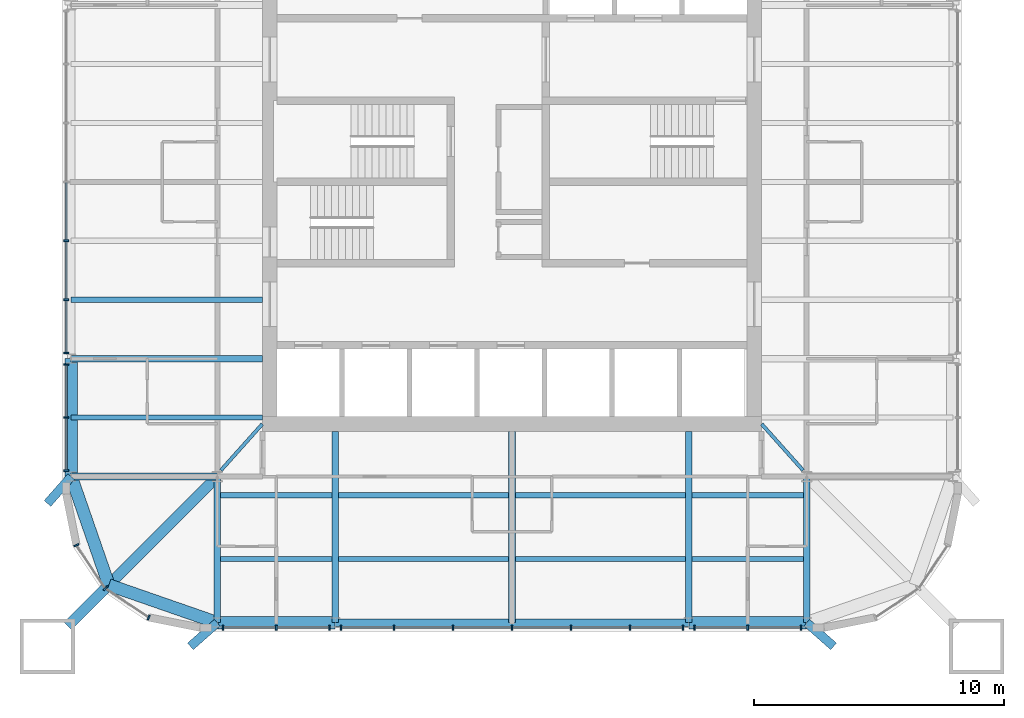
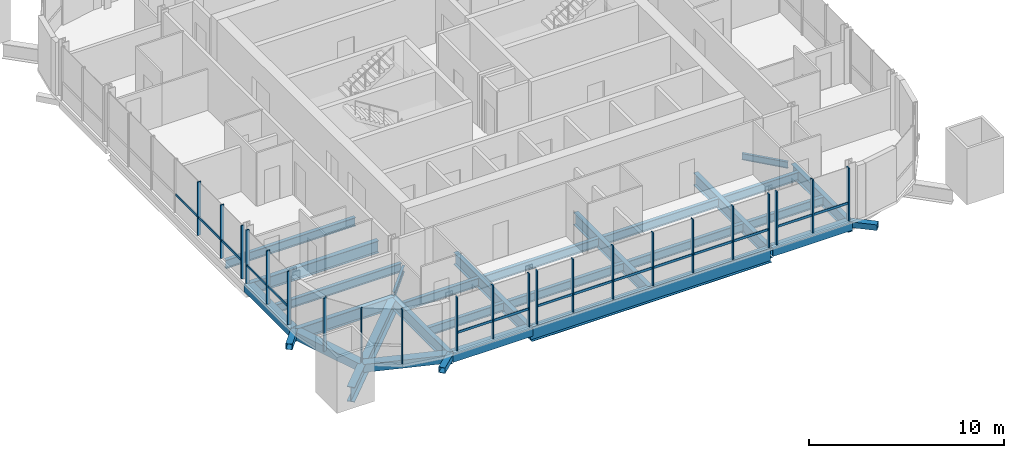
# One storey, part 2 of 12: 37 members, 29 beams, 6 elements without a shape of their own.
"""IFC4 building model written with IfcOpenShell, lengths in metres."""

from ifc_helpers import new_model, si_unit, direction, frame, origin, origin_2d, place, context, subcontext, project, spatial, rectangle, hollow_rectangle, i_section, extrude, material, material_profile, profile_set, type_object, element, aggregate, save


model = new_model("IFC4")

# Units and contexts
model_context = context("Model", 3, precision=1e-05, world=origin(), true_north=direction((0.0, 1.0)))
body_context = subcontext(model_context, "Body", "Model", "MODEL_VIEW")
ifc_project = project(units=[si_unit("LENGTHUNIT", "METRE"), si_unit("AREAUNIT", "SQUARE_METRE"), si_unit("VOLUMEUNIT", "CUBIC_METRE"), si_unit("PLANEANGLEUNIT", "RADIAN"), si_unit("MASSUNIT", "GRAM", prefix="KILO")], contexts=[model_context])

# Site, building, storey
site_placement = place(None, origin())
site = spatial("IfcSite", under=ifc_project, at=site_placement, CompositionType="ELEMENT")
building_placement = place(site_placement, origin())
building = spatial("IfcBuilding", under=site, at=building_placement, Name="Turquesa Mirador Hotel Tower", CompositionType="ELEMENT")
storey_placement = place(building_placement, frame((0.0, 0.0, 233.699951171875)))
storey = spatial("IfcBuildingStorey", under=building, at=storey_placement, Name="L63", CompositionType="ELEMENT", Elevation=233.699951171875)

# Beams
ifc_material_1 = material(Name="Steel ASTM A572 Grade 50", Category="steel")
ifc_material_profile_1 = material_profile(ifc_material_1, hollow_rectangle(XDim=0.5, YDim=0.5, WallThickness=0.01611328125, at=origin_2d()), Name="BOX500X500X16")
ifc_profile_set_1 = profile_set([ifc_material_profile_1], Name="Steel ASTM A572 Grade 50")
beam_type_1 = type_object("IfcBeamType", Name="BEAM BOX500X500X16", PredefinedType="BEAM", material=ifc_profile_set_1)
for number, where, z_axis, x_axis, name in (
    (1, (43.199951171875, 27.35009765625, -0.419921875), (1.0, 0.0, 0.0), (0.0, 1.0, 0.0), "EB-L63-S-L"),
    (2, (62.080078125, 27.35009765625, -0.419921875), (1.0, 0.0, 0.0), (0.0, 1.0, 0.0), "EB-L63-S-R"),
    (3, (37.35009765625, 33.199951171875, -0.419921875), (0.0, 1.0, 0.0), (-1.0, 0.0, 0.0), "EB-L63-W-L"),
):
    element("IfcBeam", number, at=place(storey_placement, frame(where, z_axis=z_axis, x_axis=x_axis)), inside=storey, type_object=beam_type_1, Name=name, PredefinedType="BEAM", context=body_context, shape_type="SweptSolid", body=[
        extrude(hollow_rectangle(XDim=0.5, YDim=0.5, WallThickness=0.01611328125, at=origin_2d()), origin(), (0.0, 0.0, 1.0), 4.719970703125),
    ])
for number, where, z_axis, x_axis, name in (
    (4, (37.35009765625, 33.199951171875, -0.419921875), (0.328170356092, -0.944618556552, 0.0), (0.944618556552, 0.328170356092, 0.0), "KE-L63-3-0"),
    (5, (38.8583984375, 28.8583984375, -0.419921875), (0.944618556552, -0.328170356092, 0.0), (0.328170356092, 0.944618556552, 0.0), "KE-L63-3-1"),
):
    element("IfcBeam", number, at=place(storey_placement, frame(where, z_axis=z_axis, x_axis=x_axis)), inside=storey, type_object=beam_type_1, Name=name, PredefinedType="BEAM", context=body_context, shape_type="SweptSolid", body=[
        extrude(hollow_rectangle(XDim=0.5, YDim=0.5, WallThickness=0.01611328125, at=origin_2d()), origin(), (0.0, 0.0, 1.0), 4.59619140625),
    ])
ifc_material_2 = material(Name="Steel ASTM A992 Grade 50", Category="steel")
ifc_material_profile_2 = material_profile(ifc_material_2, i_section(OverallWidth=0.140380859375, OverallDepth=0.40380859375, WebThickness=0.007080078125, FlangeThickness=0.01123046875, at=origin_2d()), Name="W16X31")
ifc_profile_set_2 = profile_set([ifc_material_profile_2], Name="Steel ASTM A992 Grade 50")
beam_type_2 = type_object("IfcBeamType", Name="BEAM W16X31", PredefinedType="BEAM", material=ifc_profile_set_2)
for number, where, z_axis, x_axis, name in (
    (6, (43.343505859375, 33.44873046875, -0.371826171875), (0.666806350186, 0.745231032198, 0.0), (-0.745231032198, 0.666806350186, 0.0), "KT-L63-3"),
    (7, (66.656494140625, 33.44873046875, -0.371826171875), (-0.666806350186, 0.745231032198, 0.0), (-0.745231032198, -0.666806350186, 0.0), "KT-L63-4"),
):
    element("IfcBeam", number, at=place(storey_placement, frame(where, z_axis=z_axis, x_axis=x_axis)), inside=storey, type_object=beam_type_2, Name=name, PredefinedType="BEAM", context=body_context, shape_type="SweptSolid", body=[
        extrude(i_section(OverallWidth=0.140380859375, OverallDepth=0.40380859375, WebThickness=0.007080078125, FlangeThickness=0.01123046875, at=origin_2d()), origin(), (0.0, 0.0, 1.0), 2.484130859375),
    ])
ifc_material_3 = material(Name="Steel ASTM A992 Grade 50", Category="steel")
ifc_material_profile_3 = material_profile(ifc_material_3, i_section(OverallWidth=0.209228515625, OverallDepth=0.533447265625, WebThickness=0.01025390625, FlangeThickness=0.015625, at=origin_2d()), Name="W21X62")
ifc_profile_set_3 = profile_set([ifc_material_profile_3], Name="Steel ASTM A992 Grade 50")
beam_type_3 = type_object("IfcBeamType", Name="BEAM W21X62", PredefinedType="BEAM", material=ifc_profile_set_3)
beam_1_placement = place(storey_placement, frame((43.333251953125, 32.449951171875, -0.436767578125), z_axis=(1.0, 0.0, 0.0), x_axis=(0.0, 1.0, 0.0)))
element("IfcBeam", 8, at=beam_1_placement, inside=storey, type_object=beam_type_3, Name="IB-L63-S-1-0", PredefinedType="BEAM", context=body_context, shape_type="SweptSolid", body=[
    extrude(i_section(OverallWidth=0.209228515625, OverallDepth=0.533447265625, WebThickness=0.01025390625, FlangeThickness=0.015625, at=origin_2d()), origin(), (0.0, 0.0, 1.0), 4.453369140625),
])
for number, where, z_axis, x_axis, name in (
    (9, (48.053466796875, 32.449951171875, -0.436767578125), (1.0, 0.0, 0.0), (0.0, 1.0, 0.0), "IB-L63-S-1-1"),
    (10, (55.13330078125, 32.449951171875, -0.436767578125), (1.0, 0.0, 0.0), (0.0, 1.0, 0.0), "IB-L63-S-1-2"),
):
    element("IfcBeam", number, at=place(storey_placement, frame(where, z_axis=z_axis, x_axis=x_axis)), inside=storey, type_object=beam_type_3, Name=name, PredefinedType="BEAM", context=body_context, shape_type="SweptSolid", body=[
        extrude(i_section(OverallWidth=0.209228515625, OverallDepth=0.533447265625, WebThickness=0.01025390625, FlangeThickness=0.015625, at=origin_2d()), origin(), (0.0, 0.0, 1.0), 6.813232421875),
    ])
for number, where, z_axis, x_axis, name in (
    (11, (62.21337890625, 32.449951171875, -0.436767578125), (1.0, 0.0, 0.0), (0.0, 1.0, 0.0), "IB-L63-S-1-3"),
    (12, (43.333251953125, 29.89990234375, -0.436767578125), (1.0, 0.0, 0.0), (0.0, 1.0, 0.0), "IB-L63-S-2-0"),
):
    element("IfcBeam", number, at=place(storey_placement, frame(where, z_axis=z_axis, x_axis=x_axis)), inside=storey, type_object=beam_type_3, Name=name, PredefinedType="BEAM", context=body_context, shape_type="SweptSolid", body=[
        extrude(i_section(OverallWidth=0.209228515625, OverallDepth=0.533447265625, WebThickness=0.01025390625, FlangeThickness=0.015625, at=origin_2d()), origin(), (0.0, 0.0, 1.0), 4.453369140625),
    ])
for number, where, z_axis, x_axis, name in (
    (13, (48.053466796875, 29.89990234375, -0.436767578125), (1.0, 0.0, 0.0), (0.0, 1.0, 0.0), "IB-L63-S-2-1"),
    (14, (55.13330078125, 29.89990234375, -0.436767578125), (1.0, 0.0, 0.0), (0.0, 1.0, 0.0), "IB-L63-S-2-2"),
):
    element("IfcBeam", number, at=place(storey_placement, frame(where, z_axis=z_axis, x_axis=x_axis)), inside=storey, type_object=beam_type_3, Name=name, PredefinedType="BEAM", context=body_context, shape_type="SweptSolid", body=[
        extrude(i_section(OverallWidth=0.209228515625, OverallDepth=0.533447265625, WebThickness=0.01025390625, FlangeThickness=0.015625, at=origin_2d()), origin(), (0.0, 0.0, 1.0), 6.813232421875),
    ])
beam_2_placement = place(storey_placement, frame((62.21337890625, 29.89990234375, -0.436767578125), z_axis=(1.0, 0.0, 0.0), x_axis=(0.0, 1.0, 0.0)))
element("IfcBeam", 15, at=beam_2_placement, inside=storey, type_object=beam_type_3, Name="IB-L63-S-2-3", PredefinedType="BEAM", context=body_context, shape_type="SweptSolid", body=[
    extrude(i_section(OverallWidth=0.209228515625, OverallDepth=0.533447265625, WebThickness=0.01025390625, FlangeThickness=0.015625, at=origin_2d()), origin(), (0.0, 0.0, 1.0), 4.453369140625),
])
for number, where, z_axis, x_axis, name in (
    (16, (37.35009765625, 35.56005859375, -0.436767578125), (1.0, 0.0, 0.0), (0.0, 1.0, 0.0), "BM-L63-W--9.44"),
    (17, (37.35009765625, 40.280029296875, -0.436767578125), (1.0, 0.0, 0.0), (0.0, 1.0, 0.0), "BM-L63-W--4.72"),
):
    element("IfcBeam", number, at=place(storey_placement, frame(where, z_axis=z_axis, x_axis=x_axis)), inside=storey, type_object=beam_type_3, Name=name, PredefinedType="BEAM", context=body_context, shape_type="SweptSolid", body=[
        extrude(i_section(OverallWidth=0.209228515625, OverallDepth=0.533447265625, WebThickness=0.01025390625, FlangeThickness=0.015625, at=origin_2d()), origin(), (0.0, 0.0, 1.0), 7.64990234375),
    ])
ifc_material_4 = material(Name="Steel ASTM A992 Grade 50", Category="steel")
ifc_material_profile_4 = material_profile(ifc_material_4, i_section(OverallWidth=0.2666015625, OverallDepth=0.7568359375, WebThickness=0.013916015625, FlangeThickness=0.019287109375, at=origin_2d()), Name="W30X108")
ifc_profile_set_4 = profile_set([ifc_material_profile_4], Name="Steel ASTM A992 Grade 50")
beam_type_4 = type_object("IfcBeamType", Name="BEAM W30X108", PredefinedType="BEAM", material=ifc_profile_set_4)
for number, where, z_axis, x_axis, name in (
    (18, (47.919921875, 27.35009765625, -0.54833984375), (0.0, 1.0, 0.0), (-1.0, 0.0, 0.0), "GD-L63-S--7.08"),
    (19, (62.080078125, 27.35009765625, -0.54833984375), (0.0, 1.0, 0.0), (-1.0, 0.0, 0.0), "GD-L63-S-+7.08"),
    (20, (55.0, 27.35009765625, -0.54833984375), (0.0, 1.0, 0.0), (-1.0, 0.0, 0.0), "GD-L63-S-+0.00"),
):
    element("IfcBeam", number, at=place(storey_placement, frame(where, z_axis=z_axis, x_axis=x_axis)), inside=storey, type_object=beam_type_4, Name=name, PredefinedType="BEAM", context=body_context, shape_type="SweptSolid", body=[
        extrude(i_section(OverallWidth=0.2666015625, OverallDepth=0.7568359375, WebThickness=0.013916015625, FlangeThickness=0.019287109375, at=origin_2d()), origin(), (0.0, 0.0, 1.0), 7.64990234375),
    ])
for number, where, z_axis, x_axis, name in (
    (21, (43.199951171875, 27.35009765625, -0.54833984375), (0.0, 1.0, 0.0), (-1.0, 0.0, 0.0), "GK-L63-S--11.80"),
    (22, (66.800048828125, 27.35009765625, -0.54833984375), (0.0, 1.0, 0.0), (-1.0, 0.0, 0.0), "GK-L63-S-+11.80"),
):
    element("IfcBeam", number, at=place(storey_placement, frame(where, z_axis=z_axis, x_axis=x_axis)), inside=storey, type_object=beam_type_4, Name=name, PredefinedType="BEAM", context=body_context, shape_type="SweptSolid", body=[
        extrude(i_section(OverallWidth=0.2666015625, OverallDepth=0.7568359375, WebThickness=0.013916015625, FlangeThickness=0.019287109375, at=origin_2d()), origin(), (0.0, 0.0, 1.0), 5.849853515625),
    ])
beam_3_placement = place(storey_placement, frame((37.35009765625, 37.919921875, -0.54833984375), z_axis=(1.0, 0.0, 0.0), x_axis=(0.0, 1.0, 0.0)))
element("IfcBeam", 23, at=beam_3_placement, inside=storey, type_object=beam_type_4, Name="GD-L63-W--7.08", PredefinedType="BEAM", context=body_context, shape_type="SweptSolid", body=[
    extrude(i_section(OverallWidth=0.2666015625, OverallDepth=0.7568359375, WebThickness=0.013916015625, FlangeThickness=0.019287109375, at=origin_2d()), origin(), (0.0, 0.0, 1.0), 7.64990234375),
])
beam_4_placement = place(storey_placement, frame((37.35009765625, 33.199951171875, -0.54833984375), z_axis=(1.0, 0.0, 0.0), x_axis=(0.0, 1.0, 0.0)))
element("IfcBeam", 24, at=beam_4_placement, inside=storey, type_object=beam_type_4, Name="GK-L63-W--11.80", PredefinedType="BEAM", context=body_context, shape_type="SweptSolid", body=[
    extrude(i_section(OverallWidth=0.2666015625, OverallDepth=0.7568359375, WebThickness=0.013916015625, FlangeThickness=0.019287109375, at=origin_2d()), origin(), (0.0, 0.0, 1.0), 5.849853515625),
])
ifc_material_5 = material(Name="Steel ASTM A992 Grade 50", Category="steel")
ifc_material_profile_5 = material_profile(ifc_material_5, i_section(OverallWidth=0.3046875, OverallDepth=0.911865234375, WebThickness=0.015869140625, FlangeThickness=0.02392578125, at=origin_2d()), Name="W36X150")
ifc_profile_set_5 = profile_set([ifc_material_profile_5], Name="Steel ASTM A992 Grade 50")
beam_type_5 = type_object("IfcBeamType", Name="BEAM W36X150", PredefinedType="BEAM", material=ifc_profile_set_5)
beam_5_placement = place(storey_placement, frame((47.919921875, 27.35009765625, -0.6259765625), z_axis=(1.0, 0.0, 0.0), x_axis=(0.0, 1.0, 0.0)))
element("IfcBeam", 25, at=beam_5_placement, inside=storey, type_object=beam_type_5, Name="EB-L63-S-C", PredefinedType="BEAM", context=body_context, shape_type="SweptSolid", body=[
    extrude(i_section(OverallWidth=0.3046875, OverallDepth=0.911865234375, WebThickness=0.015869140625, FlangeThickness=0.02392578125, at=origin_2d()), origin(), (0.0, 0.0, 1.0), 14.16015625),
])
ifc_material_6 = material(Name="Steel ASTM A992 Grade 50", Category="steel")
ifc_material_profile_6 = material_profile(ifc_material_6, i_section(OverallWidth=0.419189453125, OverallDepth=0.927001953125, WebThickness=0.019287109375, FlangeThickness=0.031982421875, at=origin_2d()), Name="W36X231")
ifc_profile_set_6 = profile_set([ifc_material_profile_6], Name="Steel ASTM A992 Grade 50")
beam_type_6 = type_object("IfcBeamType", Name="BEAM W36X231", PredefinedType="BEAM", material=ifc_profile_set_6)
beam_6_placement = place(storey_placement, frame((43.199951171875, 33.199951171875, -0.633544921875), z_axis=(-0.707106781187, -0.707106781187, 0.0), x_axis=(0.707106781187, -0.707106781187, 0.0)))
element("IfcBeam", 26, at=beam_6_placement, inside=storey, type_object=beam_type_6, Name="KD-L63-3", PredefinedType="BEAM", context=body_context, shape_type="SweptSolid", body=[
    extrude(i_section(OverallWidth=0.419189453125, OverallDepth=0.927001953125, WebThickness=0.019287109375, FlangeThickness=0.031982421875, at=origin_2d()), origin(), (0.0, 0.0, 1.0), 8.46240234375),
])
ifc_material_7 = material(Name="Steel ASTM A500 Grade C", Category="steel")
ifc_material_profile_7 = material_profile(ifc_material_7, hollow_rectangle(XDim=0.355712890625, YDim=0.355712890625, WallThickness=0.0146484375, at=origin_2d()), Name="HSS14X14X5/8")
ifc_profile_set_7 = profile_set([ifc_material_profile_7], Name="Steel ASTM A500 Grade C")
beam_type_7 = type_object("IfcBeamType", Name="BRACE STRUT HSS14X14X5/8", PredefinedType="BEAM", material=ifc_profile_set_7)
for number, where, z_axis, x_axis, name in (
    (27, (42.123046875, 26.39990234375, -0.34765625), (0.749842816254, 0.661616014704, 0.0), (-0.661616014704, 0.749842816254, 0.0), "Brace strut"),
    (28, (67.876953125, 26.39990234375, -0.34765625), (-0.749842816254, 0.661616014704, 0.0), (-0.661616014704, -0.749842816254, 0.0), "Brace strut"),
    (29, (36.39990234375, 32.123046875, -0.34765625), (0.661616014704, 0.749842816254, 0.0), (-0.749842816254, 0.661616014704, 0.0), "Brace strut"),
):
    element("IfcBeam", number, at=place(storey_placement, frame(where, z_axis=z_axis, x_axis=x_axis)), inside=storey, type_object=beam_type_7, Name=name, PredefinedType="BEAM", context=body_context, shape_type="SweptSolid", body=[
        extrude(hollow_rectangle(XDim=0.355712890625, YDim=0.355712890625, WallThickness=0.0146484375, at=origin_2d()), origin(), (0.0, 0.0, 1.0), 1.436279296875),
    ])

# Curtain wall, members
ifc_material_8 = material(Name="Aluminium extrusion", Category="aluminium")
curtain_wall_type = type_object("IfcCurtainWallType", Name="CW-4 SUITE FRITTED CURTAIN WALL", PredefinedType="USERDEFINED", material=ifc_material_8)
curtain_wall_1_placement = place(storey_placement, origin())
curtain_wall_1 = element("IfcCurtainWall", 30, at=curtain_wall_1_placement, inside=storey, type_object=curtain_wall_type, Name="CW-4 SUITE FRITTED CURTAIN WALL L63", ObjectType="CURTAIN WALL", PredefinedType="USERDEFINED")
ifc_material_9 = material(Name="Aluminium extrusion", Category="aluminium")
ifc_material_profile_8 = material_profile(ifc_material_9, rectangle(XDim=0.06494140625, YDim=0.199951171875, at=origin_2d()), Name="MULLION 65X200")
ifc_profile_set_8 = profile_set([ifc_material_profile_8], Name="Aluminium extrusion")
member_type_1 = type_object("IfcMemberType", Name="CW MULLION 65X200", PredefinedType="MULLION", material=ifc_profile_set_8)
member_1_placement = place(storey_placement, frame((37.14990234375, 42.639892578125, 0.0), z_axis=(0.0, 0.0, 1.0), x_axis=(0.0, -1.0, 0.0)))
member_1 = element("IfcMember", 31, at=member_1_placement, type_object=member_type_1, Name="Mullion", PredefinedType="MULLION", context=body_context, shape_type="SweptSolid", body=[
    extrude(rectangle(XDim=0.06494140625, YDim=0.199951171875, at=origin_2d()), origin(), (0.0, 0.0, 1.0), 3.330078125),
])
member_2_placement = place(storey_placement, frame((37.14990234375, 40.280029296875, 0.0), z_axis=(0.0, 0.0, 1.0), x_axis=(0.0, -1.0, 0.0)))
member_2 = element("IfcMember", 32, at=member_2_placement, type_object=member_type_1, Name="Mullion", PredefinedType="MULLION", context=body_context, shape_type="SweptSolid", body=[
    extrude(rectangle(XDim=0.06494140625, YDim=0.199951171875, at=origin_2d()), origin(), (0.0, 0.0, 1.0), 3.330078125),
])
member_3_placement = place(storey_placement, frame((37.14990234375, 38.15380859375, 0.0), z_axis=(0.0, 0.0, 1.0), x_axis=(0.0, -1.0, 0.0)))
member_3 = element("IfcMember", 33, at=member_3_placement, type_object=member_type_1, Name="Mullion", PredefinedType="MULLION", context=body_context, shape_type="SweptSolid", body=[
    extrude(rectangle(XDim=0.06494140625, YDim=0.199951171875, at=origin_2d()), origin(), (0.0, 0.0, 1.0), 3.330078125),
])

curtain_wall_2_placement = place(storey_placement, origin())
curtain_wall_2 = element("IfcCurtainWall", 34, at=curtain_wall_2_placement, inside=storey, type_object=curtain_wall_type, Name="CW-4 SUITE FRITTED CURTAIN WALL L63", ObjectType="CURTAIN WALL", PredefinedType="USERDEFINED")
member_4_placement = place(storey_placement, frame((37.14990234375, 37.68603515625, 0.0), z_axis=(0.0, 0.0, 1.0), x_axis=(0.0, -1.0, 0.0)))
member_4 = element("IfcMember", 35, at=member_4_placement, type_object=member_type_1, Name="Mullion", PredefinedType="MULLION", context=body_context, shape_type="SweptSolid", body=[
    extrude(rectangle(XDim=0.06494140625, YDim=0.199951171875, at=origin_2d()), origin(), (0.0, 0.0, 1.0), 3.330078125),
])
member_5_placement = place(storey_placement, frame((37.14990234375, 35.56005859375, 0.0), z_axis=(0.0, 0.0, 1.0), x_axis=(0.0, -1.0, 0.0)))
member_5 = element("IfcMember", 36, at=member_5_placement, type_object=member_type_1, Name="Mullion", PredefinedType="MULLION", context=body_context, shape_type="SweptSolid", body=[
    extrude(rectangle(XDim=0.06494140625, YDim=0.199951171875, at=origin_2d()), origin(), (0.0, 0.0, 1.0), 3.330078125),
])
member_6_placement = place(storey_placement, frame((37.14990234375, 33.433837890625, 0.0), z_axis=(0.0, 0.0, 1.0), x_axis=(0.0, -1.0, 0.0)))
member_6 = element("IfcMember", 37, at=member_6_placement, type_object=member_type_1, Name="Mullion", PredefinedType="MULLION", context=body_context, shape_type="SweptSolid", body=[
    extrude(rectangle(XDim=0.06494140625, YDim=0.199951171875, at=origin_2d()), origin(), (0.0, 0.0, 1.0), 3.330078125),
])

curtain_wall_3_placement = place(storey_placement, origin())
curtain_wall_3 = element("IfcCurtainWall", 38, at=curtain_wall_3_placement, inside=storey, type_object=curtain_wall_type, Name="CW-4 SUITE FRITTED CURTAIN WALL L63", ObjectType="CURTAIN WALL", PredefinedType="USERDEFINED")
member_7_placement = place(storey_placement, frame((37.55712890625, 30.45263671875, 0.0), z_axis=(0.0, 0.0, 1.0), x_axis=(0.382683432365, -0.923879532511, 0.0)))
member_7 = element("IfcMember", 39, at=member_7_placement, type_object=member_type_1, Name="Mullion", PredefinedType="MULLION", context=body_context, shape_type="SweptSolid", body=[
    extrude(rectangle(XDim=0.06494140625, YDim=0.199951171875, at=origin_2d()), origin(), (0.0, 0.0, 1.0), 3.330078125),
])
member_8_placement = place(storey_placement, frame((38.717041015625, 28.717041015625, 0.0), z_axis=(0.0, 0.0, 1.0), x_axis=(0.707106781187, -0.707106781187, 0.0)))
member_8 = element("IfcMember", 40, at=member_8_placement, type_object=member_type_1, Name="Mullion", PredefinedType="MULLION", context=body_context, shape_type="SweptSolid", body=[
    extrude(rectangle(XDim=0.06494140625, YDim=0.199951171875, at=origin_2d()), origin(), (0.0, 0.0, 1.0), 3.330078125),
])
member_9_placement = place(storey_placement, frame((40.45263671875, 27.55712890625, 0.0), z_axis=(0.0, 0.0, 1.0), x_axis=(0.923879532511, -0.382683432365, 0.0)))
member_9 = element("IfcMember", 41, at=member_9_placement, type_object=member_type_1, Name="Mullion", PredefinedType="MULLION", context=body_context, shape_type="SweptSolid", body=[
    extrude(rectangle(XDim=0.06494140625, YDim=0.199951171875, at=origin_2d()), origin(), (0.0, 0.0, 1.0), 3.330078125),
])
aggregate(curtain_wall_3, [member_7, member_8, member_9])

curtain_wall_4_placement = place(storey_placement, origin())
curtain_wall_4 = element("IfcCurtainWall", 42, at=curtain_wall_4_placement, inside=storey, type_object=curtain_wall_type, Name="CW-4 SUITE FRITTED CURTAIN WALL L63", ObjectType="CURTAIN WALL", PredefinedType="USERDEFINED")
member_10_placement = place(storey_placement, frame((43.433837890625, 27.14990234375, 0.0), z_axis=(0.0, 0.0, 1.0), x_axis=(1.0, 0.0, 0.0)))
member_10 = element("IfcMember", 43, at=member_10_placement, type_object=member_type_1, Name="Mullion", PredefinedType="MULLION", context=body_context, shape_type="SweptSolid", body=[
    extrude(rectangle(XDim=0.06494140625, YDim=0.199951171875, at=origin_2d()), origin(), (0.0, 0.0, 1.0), 3.330078125),
])
member_11_placement = place(storey_placement, frame((45.56005859375, 27.14990234375, 0.0), z_axis=(0.0, 0.0, 1.0), x_axis=(1.0, 0.0, 0.0)))
member_11 = element("IfcMember", 44, at=member_11_placement, type_object=member_type_1, Name="Mullion", PredefinedType="MULLION", context=body_context, shape_type="SweptSolid", body=[
    extrude(rectangle(XDim=0.06494140625, YDim=0.199951171875, at=origin_2d()), origin(), (0.0, 0.0, 1.0), 3.330078125),
])
member_12_placement = place(storey_placement, frame((47.68603515625, 27.14990234375, 0.0), z_axis=(0.0, 0.0, 1.0), x_axis=(1.0, 0.0, 0.0)))
member_12 = element("IfcMember", 45, at=member_12_placement, type_object=member_type_1, Name="Mullion", PredefinedType="MULLION", context=body_context, shape_type="SweptSolid", body=[
    extrude(rectangle(XDim=0.06494140625, YDim=0.199951171875, at=origin_2d()), origin(), (0.0, 0.0, 1.0), 3.330078125),
])

curtain_wall_5_placement = place(storey_placement, origin())
curtain_wall_5 = element("IfcCurtainWall", 46, at=curtain_wall_5_placement, inside=storey, type_object=curtain_wall_type, Name="CW-4 SUITE FRITTED CURTAIN WALL L63", ObjectType="CURTAIN WALL", PredefinedType="USERDEFINED")
member_13_placement = place(storey_placement, frame((48.15380859375, 27.14990234375, 0.0), z_axis=(0.0, 0.0, 1.0), x_axis=(1.0, 0.0, 0.0)))
member_13 = element("IfcMember", 47, at=member_13_placement, type_object=member_type_1, Name="Mullion", PredefinedType="MULLION", context=body_context, shape_type="SweptSolid", body=[
    extrude(rectangle(XDim=0.06494140625, YDim=0.199951171875, at=origin_2d()), origin(), (0.0, 0.0, 1.0), 3.330078125),
])
member_14_placement = place(storey_placement, frame((50.280029296875, 27.14990234375, 0.0), z_axis=(0.0, 0.0, 1.0), x_axis=(1.0, 0.0, 0.0)))
member_14 = element("IfcMember", 48, at=member_14_placement, type_object=member_type_1, Name="Mullion", PredefinedType="MULLION", context=body_context, shape_type="SweptSolid", body=[
    extrude(rectangle(XDim=0.06494140625, YDim=0.199951171875, at=origin_2d()), origin(), (0.0, 0.0, 1.0), 3.330078125),
])
member_15_placement = place(storey_placement, frame((52.639892578125, 27.14990234375, 0.0), z_axis=(0.0, 0.0, 1.0), x_axis=(1.0, 0.0, 0.0)))
member_15 = element("IfcMember", 49, at=member_15_placement, type_object=member_type_1, Name="Mullion", PredefinedType="MULLION", context=body_context, shape_type="SweptSolid", body=[
    extrude(rectangle(XDim=0.06494140625, YDim=0.199951171875, at=origin_2d()), origin(), (0.0, 0.0, 1.0), 3.330078125),
])
member_16_placement = place(storey_placement, frame((55.0, 27.14990234375, 0.0), z_axis=(0.0, 0.0, 1.0), x_axis=(1.0, 0.0, 0.0)))
member_16 = element("IfcMember", 50, at=member_16_placement, type_object=member_type_1, Name="Mullion", PredefinedType="MULLION", context=body_context, shape_type="SweptSolid", body=[
    extrude(rectangle(XDim=0.06494140625, YDim=0.199951171875, at=origin_2d()), origin(), (0.0, 0.0, 1.0), 3.330078125),
])
member_17_placement = place(storey_placement, frame((57.360107421875, 27.14990234375, 0.0), z_axis=(0.0, 0.0, 1.0), x_axis=(1.0, 0.0, 0.0)))
member_17 = element("IfcMember", 51, at=member_17_placement, type_object=member_type_1, Name="Mullion", PredefinedType="MULLION", context=body_context, shape_type="SweptSolid", body=[
    extrude(rectangle(XDim=0.06494140625, YDim=0.199951171875, at=origin_2d()), origin(), (0.0, 0.0, 1.0), 3.330078125),
])
member_18_placement = place(storey_placement, frame((59.719970703125, 27.14990234375, 0.0), z_axis=(0.0, 0.0, 1.0), x_axis=(1.0, 0.0, 0.0)))
member_18 = element("IfcMember", 52, at=member_18_placement, type_object=member_type_1, Name="Mullion", PredefinedType="MULLION", context=body_context, shape_type="SweptSolid", body=[
    extrude(rectangle(XDim=0.06494140625, YDim=0.199951171875, at=origin_2d()), origin(), (0.0, 0.0, 1.0), 3.330078125),
])
member_19_placement = place(storey_placement, frame((61.84619140625, 27.14990234375, 0.0), z_axis=(0.0, 0.0, 1.0), x_axis=(1.0, 0.0, 0.0)))
member_19 = element("IfcMember", 53, at=member_19_placement, type_object=member_type_1, Name="Mullion", PredefinedType="MULLION", context=body_context, shape_type="SweptSolid", body=[
    extrude(rectangle(XDim=0.06494140625, YDim=0.199951171875, at=origin_2d()), origin(), (0.0, 0.0, 1.0), 3.330078125),
])

curtain_wall_6_placement = place(storey_placement, origin())
curtain_wall_6 = element("IfcCurtainWall", 54, at=curtain_wall_6_placement, inside=storey, type_object=curtain_wall_type, Name="CW-4 SUITE FRITTED CURTAIN WALL L63", ObjectType="CURTAIN WALL", PredefinedType="USERDEFINED")
member_20_placement = place(storey_placement, frame((62.31396484375, 27.14990234375, 0.0), z_axis=(0.0, 0.0, 1.0), x_axis=(1.0, 0.0, 0.0)))
member_20 = element("IfcMember", 55, at=member_20_placement, type_object=member_type_1, Name="Mullion", PredefinedType="MULLION", context=body_context, shape_type="SweptSolid", body=[
    extrude(rectangle(XDim=0.06494140625, YDim=0.199951171875, at=origin_2d()), origin(), (0.0, 0.0, 1.0), 3.330078125),
])
member_21_placement = place(storey_placement, frame((64.43994140625, 27.14990234375, 0.0), z_axis=(0.0, 0.0, 1.0), x_axis=(1.0, 0.0, 0.0)))
member_21 = element("IfcMember", 56, at=member_21_placement, type_object=member_type_1, Name="Mullion", PredefinedType="MULLION", context=body_context, shape_type="SweptSolid", body=[
    extrude(rectangle(XDim=0.06494140625, YDim=0.199951171875, at=origin_2d()), origin(), (0.0, 0.0, 1.0), 3.330078125),
])
member_22_placement = place(storey_placement, frame((66.566162109375, 27.14990234375, 0.0), z_axis=(0.0, 0.0, 1.0), x_axis=(1.0, 0.0, 0.0)))
member_22 = element("IfcMember", 57, at=member_22_placement, type_object=member_type_1, Name="Mullion", PredefinedType="MULLION", context=body_context, shape_type="SweptSolid", body=[
    extrude(rectangle(XDim=0.06494140625, YDim=0.199951171875, at=origin_2d()), origin(), (0.0, 0.0, 1.0), 3.330078125),
])

# Member
ifc_material_10 = material(Name="Aluminium extrusion", Category="aluminium")
ifc_material_profile_9 = material_profile(ifc_material_10, rectangle(XDim=0.06494140625, YDim=0.14990234375, at=origin_2d()), Name="TRANSOM 65X150")
ifc_profile_set_9 = profile_set([ifc_material_profile_9], Name="Aluminium extrusion")
member_type_2 = type_object("IfcMemberType", Name="CW TRANSOM 65X150", PredefinedType="USERDEFINED", material=ifc_profile_set_9)
member_23_placement = place(storey_placement, frame((37.14990234375, 44.967529296875, 1.10009765625), z_axis=(0.0, -1.0, 0.0), x_axis=(1.0, 0.0, 0.0)))
member_23 = element("IfcMember", 58, at=member_23_placement, type_object=member_type_2, Name="Transom", ObjectType="TRANSOM", PredefinedType="USERDEFINED", context=body_context, shape_type="SweptSolid", body=[
    extrude(rectangle(XDim=0.06494140625, YDim=0.14990234375, at=origin_2d()), origin(), (0.0, 0.0, 1.0), 2.294921875),
])

member_24_placement = place(storey_placement, frame((37.14990234375, 42.607421875, 1.10009765625), z_axis=(0.0, -1.0, 0.0), x_axis=(1.0, 0.0, 0.0)))
member_24 = element("IfcMember", 59, at=member_24_placement, type_object=member_type_2, Name="Transom", ObjectType="TRANSOM", PredefinedType="USERDEFINED", context=body_context, shape_type="SweptSolid", body=[
    extrude(rectangle(XDim=0.06494140625, YDim=0.14990234375, at=origin_2d()), origin(), (0.0, 0.0, 1.0), 2.294921875),
])

member_25_placement = place(storey_placement, frame((37.14990234375, 40.24755859375, 1.10009765625), z_axis=(0.0, -1.0, 0.0), x_axis=(1.0, 0.0, 0.0)))
member_25 = element("IfcMember", 60, at=member_25_placement, type_object=member_type_2, Name="Transom", ObjectType="TRANSOM", PredefinedType="USERDEFINED", context=body_context, shape_type="SweptSolid", body=[
    extrude(rectangle(XDim=0.06494140625, YDim=0.14990234375, at=origin_2d()), origin(), (0.0, 0.0, 1.0), 2.061279296875),
])

aggregate(curtain_wall_1, [member_1, member_2, member_3, member_23, member_24, member_25])

member_26_placement = place(storey_placement, frame((37.14990234375, 37.653564453125, 1.10009765625), z_axis=(0.0, -1.0, 0.0), x_axis=(1.0, 0.0, 0.0)))
member_26 = element("IfcMember", 61, at=member_26_placement, type_object=member_type_2, Name="Transom", ObjectType="TRANSOM", PredefinedType="USERDEFINED", context=body_context, shape_type="SweptSolid", body=[
    extrude(rectangle(XDim=0.06494140625, YDim=0.14990234375, at=origin_2d()), origin(), (0.0, 0.0, 1.0), 2.06103515625),
])

member_27_placement = place(storey_placement, frame((37.14990234375, 35.527587890625, 1.10009765625), z_axis=(0.0, -1.0, 0.0), x_axis=(1.0, 0.0, 0.0)))
member_27 = element("IfcMember", 62, at=member_27_placement, type_object=member_type_2, Name="Transom", ObjectType="TRANSOM", PredefinedType="USERDEFINED", context=body_context, shape_type="SweptSolid", body=[
    extrude(rectangle(XDim=0.06494140625, YDim=0.14990234375, at=origin_2d()), origin(), (0.0, 0.0, 1.0), 2.061279296875),
])

aggregate(curtain_wall_2, [member_4, member_5, member_6, member_26, member_27])

member_28_placement = place(storey_placement, frame((43.46630859375, 27.14990234375, 1.10009765625), z_axis=(1.0, 0.0, 0.0), x_axis=(0.0, 1.0, 0.0)))
member_28 = element("IfcMember", 63, at=member_28_placement, type_object=member_type_2, Name="Transom", ObjectType="TRANSOM", PredefinedType="USERDEFINED", context=body_context, shape_type="SweptSolid", body=[
    extrude(rectangle(XDim=0.06494140625, YDim=0.14990234375, at=origin_2d()), origin(), (0.0, 0.0, 1.0), 2.061279296875),
])

member_29_placement = place(storey_placement, frame((45.592529296875, 27.14990234375, 1.10009765625), z_axis=(1.0, 0.0, 0.0), x_axis=(0.0, 1.0, 0.0)))
member_29 = element("IfcMember", 64, at=member_29_placement, type_object=member_type_2, Name="Transom", ObjectType="TRANSOM", PredefinedType="USERDEFINED", context=body_context, shape_type="SweptSolid", body=[
    extrude(rectangle(XDim=0.06494140625, YDim=0.14990234375, at=origin_2d()), origin(), (0.0, 0.0, 1.0), 2.06103515625),
])

aggregate(curtain_wall_4, [member_10, member_11, member_12, member_28, member_29])

member_30_placement = place(storey_placement, frame((48.186279296875, 27.14990234375, 1.10009765625), z_axis=(1.0, 0.0, 0.0), x_axis=(0.0, 1.0, 0.0)))
member_30 = element("IfcMember", 65, at=member_30_placement, type_object=member_type_2, Name="Transom", ObjectType="TRANSOM", PredefinedType="USERDEFINED", context=body_context, shape_type="SweptSolid", body=[
    extrude(rectangle(XDim=0.06494140625, YDim=0.14990234375, at=origin_2d()), origin(), (0.0, 0.0, 1.0), 2.061279296875),
])

member_31_placement = place(storey_placement, frame((50.3125, 27.14990234375, 1.10009765625), z_axis=(1.0, 0.0, 0.0), x_axis=(0.0, 1.0, 0.0)))
member_31 = element("IfcMember", 66, at=member_31_placement, type_object=member_type_2, Name="Transom", ObjectType="TRANSOM", PredefinedType="USERDEFINED", context=body_context, shape_type="SweptSolid", body=[
    extrude(rectangle(XDim=0.06494140625, YDim=0.14990234375, at=origin_2d()), origin(), (0.0, 0.0, 1.0), 2.294921875),
])

member_32_placement = place(storey_placement, frame((52.672607421875, 27.14990234375, 1.10009765625), z_axis=(1.0, 0.0, 0.0), x_axis=(0.0, 1.0, 0.0)))
member_32 = element("IfcMember", 67, at=member_32_placement, type_object=member_type_2, Name="Transom", ObjectType="TRANSOM", PredefinedType="USERDEFINED", context=body_context, shape_type="SweptSolid", body=[
    extrude(rectangle(XDim=0.06494140625, YDim=0.14990234375, at=origin_2d()), origin(), (0.0, 0.0, 1.0), 2.294921875),
])

member_33_placement = place(storey_placement, frame((55.032470703125, 27.14990234375, 1.10009765625), z_axis=(1.0, 0.0, 0.0), x_axis=(0.0, 1.0, 0.0)))
member_33 = element("IfcMember", 68, at=member_33_placement, type_object=member_type_2, Name="Transom", ObjectType="TRANSOM", PredefinedType="USERDEFINED", context=body_context, shape_type="SweptSolid", body=[
    extrude(rectangle(XDim=0.06494140625, YDim=0.14990234375, at=origin_2d()), origin(), (0.0, 0.0, 1.0), 2.294921875),
])

member_34_placement = place(storey_placement, frame((57.392578125, 27.14990234375, 1.10009765625), z_axis=(1.0, 0.0, 0.0), x_axis=(0.0, 1.0, 0.0)))
member_34 = element("IfcMember", 69, at=member_34_placement, type_object=member_type_2, Name="Transom", ObjectType="TRANSOM", PredefinedType="USERDEFINED", context=body_context, shape_type="SweptSolid", body=[
    extrude(rectangle(XDim=0.06494140625, YDim=0.14990234375, at=origin_2d()), origin(), (0.0, 0.0, 1.0), 2.294921875),
])

member_35_placement = place(storey_placement, frame((59.75244140625, 27.14990234375, 1.10009765625), z_axis=(1.0, 0.0, 0.0), x_axis=(0.0, 1.0, 0.0)))
member_35 = element("IfcMember", 70, at=member_35_placement, type_object=member_type_2, Name="Transom", ObjectType="TRANSOM", PredefinedType="USERDEFINED", context=body_context, shape_type="SweptSolid", body=[
    extrude(rectangle(XDim=0.06494140625, YDim=0.14990234375, at=origin_2d()), origin(), (0.0, 0.0, 1.0), 2.061279296875),
])

aggregate(curtain_wall_5, [member_13, member_14, member_15, member_16, member_17, member_18, member_19, member_30, member_31, member_32, member_33, member_34, member_35])

member_36_placement = place(storey_placement, frame((62.346435546875, 27.14990234375, 1.10009765625), z_axis=(1.0, 0.0, 0.0), x_axis=(0.0, 1.0, 0.0)))
member_36 = element("IfcMember", 71, at=member_36_placement, type_object=member_type_2, Name="Transom", ObjectType="TRANSOM", PredefinedType="USERDEFINED", context=body_context, shape_type="SweptSolid", body=[
    extrude(rectangle(XDim=0.06494140625, YDim=0.14990234375, at=origin_2d()), origin(), (0.0, 0.0, 1.0), 2.06103515625),
])

member_37_placement = place(storey_placement, frame((64.472412109375, 27.14990234375, 1.10009765625), z_axis=(1.0, 0.0, 0.0), x_axis=(0.0, 1.0, 0.0)))
member_37 = element("IfcMember", 72, at=member_37_placement, type_object=member_type_2, Name="Transom", ObjectType="TRANSOM", PredefinedType="USERDEFINED", context=body_context, shape_type="SweptSolid", body=[
    extrude(rectangle(XDim=0.06494140625, YDim=0.14990234375, at=origin_2d()), origin(), (0.0, 0.0, 1.0), 2.061279296875),
])

aggregate(curtain_wall_6, [member_20, member_21, member_22, member_36, member_37])

save(model, "model.ifc")
